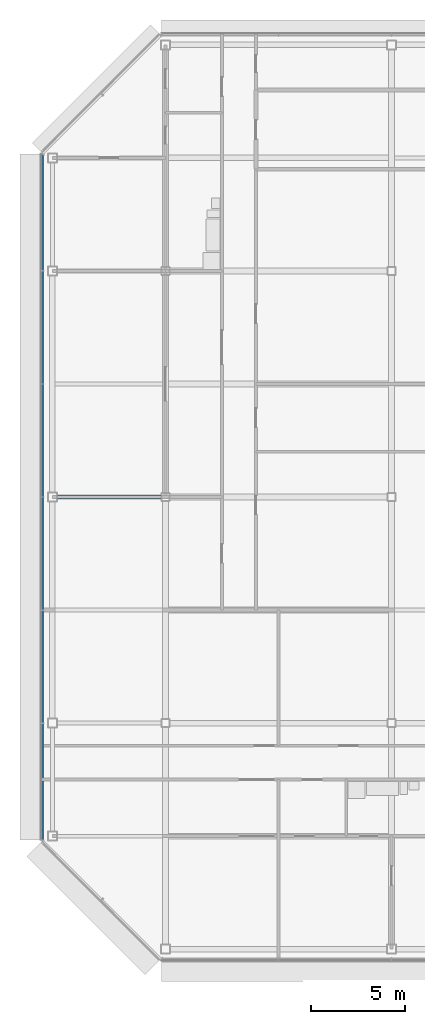
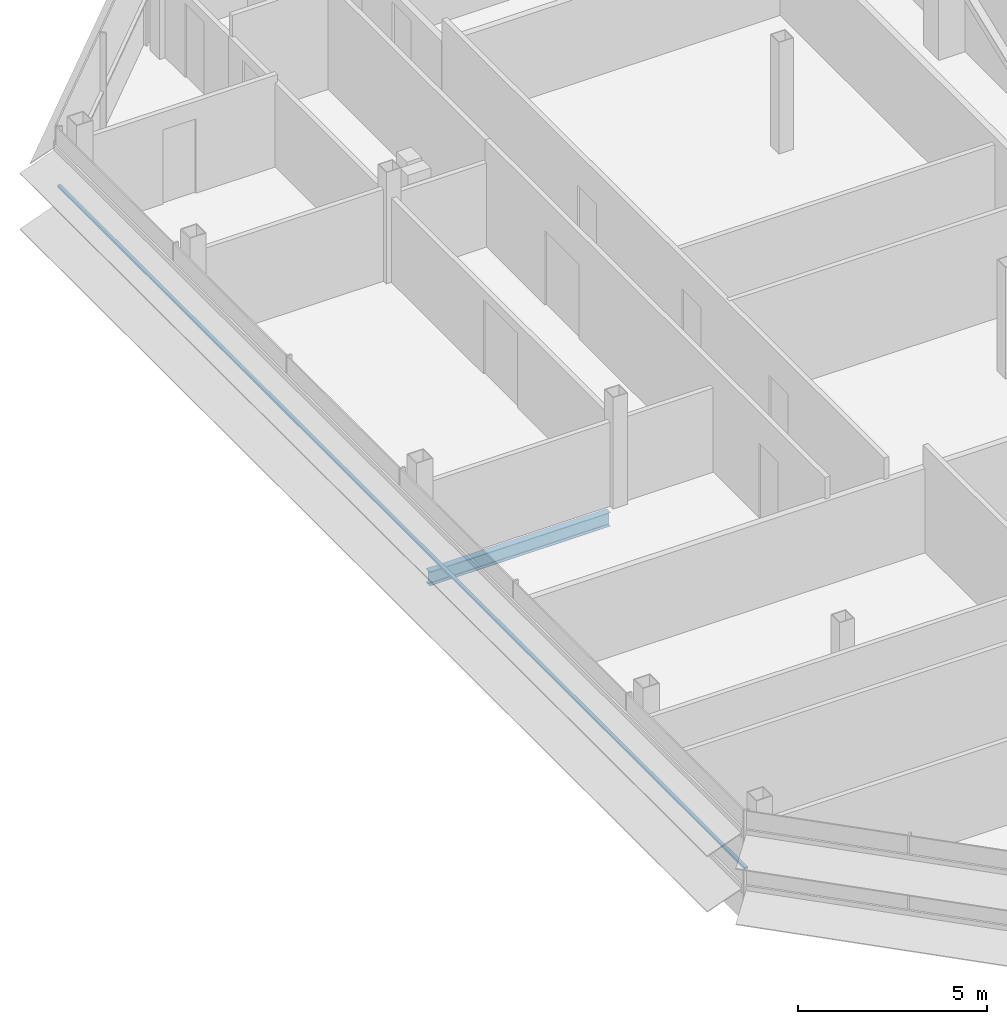
# One storey, part 7 of 27: 1 beam, 1 member, 1 element without a shape of its own.
"""IFC4 building model written with IfcOpenShell, lengths in metres."""

from ifc_helpers import new_model, si_unit, direction, frame, origin, origin_2d, place, context, subcontext, project, spatial, rectangle, i_section, extrude, material, material_profile, profile_set, type_object, element, aggregate, save


model = new_model("IFC4")

# Units and contexts
model_context = context("Model", 3, precision=1e-05, world=origin(), true_north=direction((0.0, 1.0)))
body_context = subcontext(model_context, "Body", "Model", "MODEL_VIEW")
ifc_project = project(units=[si_unit("LENGTHUNIT", "METRE"), si_unit("AREAUNIT", "SQUARE_METRE"), si_unit("VOLUMEUNIT", "CUBIC_METRE"), si_unit("PLANEANGLEUNIT", "RADIAN"), si_unit("MASSUNIT", "GRAM", prefix="KILO")], contexts=[model_context])

# Site, building, storey
site_placement = place(None, origin())
site = spatial("IfcSite", under=ifc_project, at=site_placement, CompositionType="ELEMENT")
building_placement = place(site_placement, origin())
building = spatial("IfcBuilding", under=site, at=building_placement, Name="Sorahane Residences", CompositionType="ELEMENT")
storey_placement = place(building_placement, frame((0.0, 0.0, 312.39990234375)))
storey = spatial("IfcBuildingStorey", under=building, at=storey_placement, Name="L74", CompositionType="ELEMENT", Elevation=312.39990234375)

# Curtain wall, member
ifc_material_1 = material(Name="Dark low-e glass and black anodised aluminium", Category="aluminium")
curtain_wall_type = type_object("IfcCurtainWallType", Name="Curtain wall CW-1 Typical unitised wall", PredefinedType="NOTDEFINED", material=ifc_material_1)
curtain_wall_placement = place(storey_placement, origin())
curtain_wall = element("IfcCurtainWall", 1, at=curtain_wall_placement, inside=storey, type_object=curtain_wall_type, Name="CW-1 curtain wall L74 W1", PredefinedType="NOTDEFINED")
ifc_material_2 = material(Name="Black anodised aluminium", Category="aluminium")
ifc_material_profile_1 = material_profile(ifc_material_2, rectangle(XDim=0.10009765625, YDim=0.06005859375, at=origin_2d()), Name="Curtain wall transom CW-1 black anodised aluminium 60x100")
ifc_profile_set_1 = profile_set([ifc_material_profile_1], Name="Black anodised aluminium")
member_type = type_object("IfcMemberType", Name="Curtain wall transom CW-1 black anodised aluminium 60x100", PredefinedType="USERDEFINED", material=ifc_profile_set_1)
member_placement = place(storey_placement, frame((-18.530029296875, 42.198486328125, 1.5), z_axis=(0.0, -1.0, 0.0), x_axis=(1.0, 0.0, 0.0)))
member = element("IfcMember", 2, at=member_placement, type_object=member_type, Name="CW-1 transom L74 W1", ObjectType="TRANSOM", PredefinedType="USERDEFINED", context=body_context, shape_type="SweptSolid", body=[
    extrude(rectangle(XDim=0.10009765625, YDim=0.06005859375, at=origin_2d()), origin(), (0.0, 0.0, 1.0), 36.39697265625),
])
aggregate(curtain_wall, [member])

# Beam
ifc_material_3 = material(Name="Steel Q355B", Category="steel")
ifc_material_profile_2 = material_profile(ifc_material_3, i_section(OverallWidth=0.199951171875, OverallDepth=0.449951171875, WebThickness=0.009033203125, FlangeThickness=0.013916015625, FilletRadius=0.02001953125, at=origin_2d()), Name="HN 450x200x9x14")
ifc_profile_set_2 = profile_set([ifc_material_profile_2], Name="Steel Q355B")
beam_type = type_object("IfcBeamType", Name="Steel floor beam HN 450x200x9x14 Q355B", PredefinedType="BEAM", material=ifc_profile_set_2)
beam_placement = place(storey_placement, frame((-17.75, 24.0, -0.40478515625), z_axis=(1.0, 0.0, 0.0), x_axis=(0.0, 1.0, 0.0)))
element("IfcBeam", 3, at=beam_placement, inside=storey, type_object=beam_type, Name="Beam L74 011", PredefinedType="BEAM", context=body_context, shape_type="SweptSolid", body=[
    extrude(i_section(OverallWidth=0.199951171875, OverallDepth=0.449951171875, WebThickness=0.009033203125, FlangeThickness=0.013916015625, FilletRadius=0.02001953125, at=origin_2d()), origin(), (0.0, 0.0, 1.0), 5.52490234375),
])

save(model, "model.ifc")
